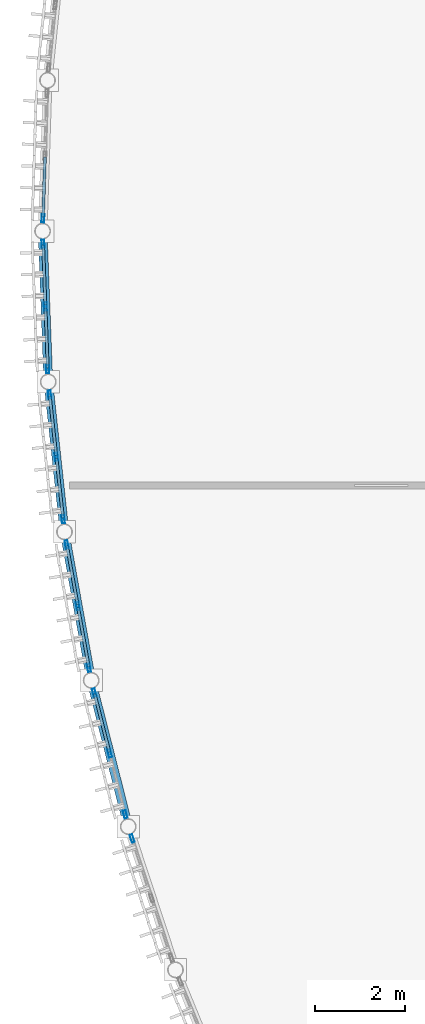
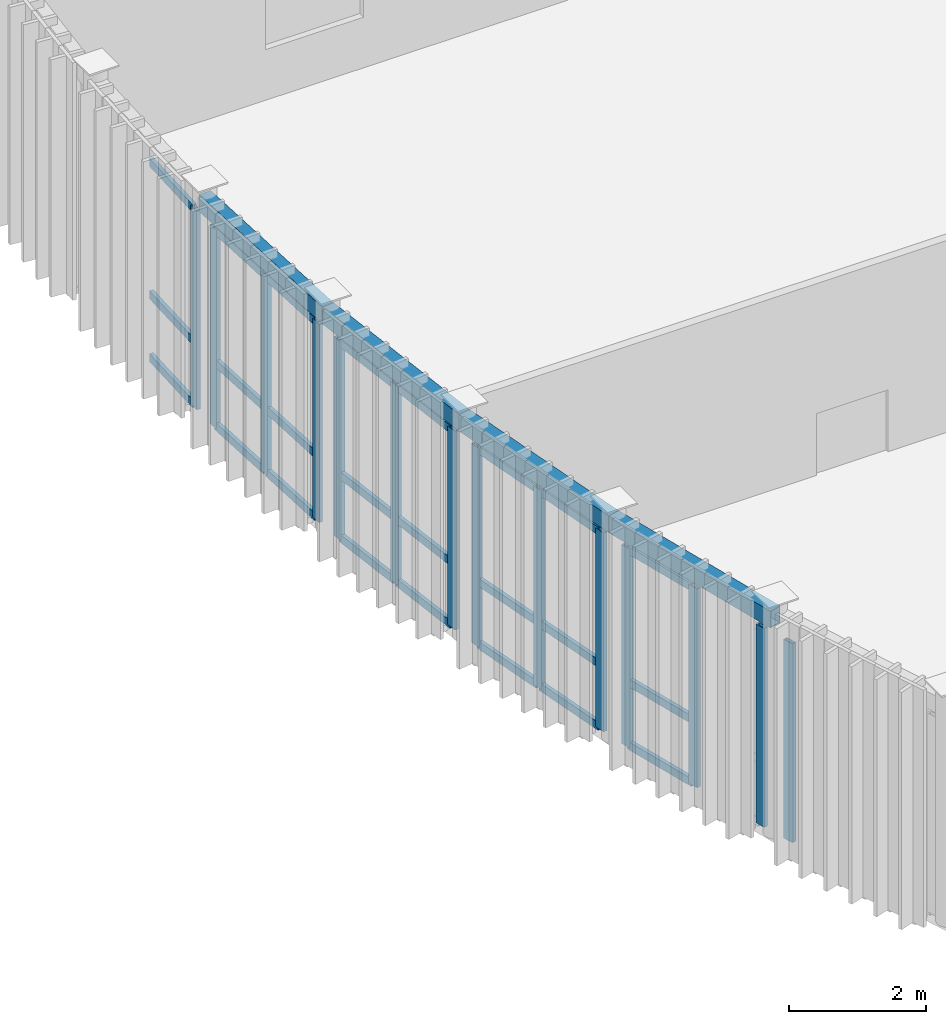
# One storey, part 13 of 26: 38 members, 4 beams, 6 elements without a shape of their own.
"""IFC4 building model written with IfcOpenShell, lengths in metres."""

from ifc_helpers import new_model, si_unit, direction, frame, origin, origin_2d, place, context, subcontext, project, spatial, hollow_rectangle, extrude, material, layer, layer_set, material_profile, profile_set, type_object, element, aggregate, save


model = new_model("IFC4")

# Units and contexts
model_context = context("Model", 3, precision=1e-05, world=origin(), true_north=direction((0.0, 1.0)))
body_context = subcontext(model_context, "Body", "Model", "MODEL_VIEW")
ifc_project = project(units=[si_unit("LENGTHUNIT", "METRE"), si_unit("AREAUNIT", "SQUARE_METRE"), si_unit("VOLUMEUNIT", "CUBIC_METRE"), si_unit("PLANEANGLEUNIT", "RADIAN"), si_unit("MASSUNIT", "GRAM", prefix="KILO")], contexts=[model_context])

# Site, building, storey
site_placement = place(None, origin())
site = spatial("IfcSite", under=ifc_project, at=site_placement, CompositionType="ELEMENT")
building_placement = place(site_placement, origin())
building = spatial("IfcBuilding", under=site, at=building_placement, Name="Selat Folded Stagehouse", CompositionType="ELEMENT")
storey_placement = place(building_placement, frame((0.0, 0.0, 23.39990234375)))
storey = spatial("IfcBuildingStorey", under=building, at=storey_placement, Name="L05", CompositionType="ELEMENT", Elevation=23.39990234375)

# Curtain wall, member
ifc_material_1 = material(Name="Aluminium 6063-T6", Category="aluminium")
ifc_layer = layer(ifc_material_1, 0.18505859375)
ifc_layer_set = layer_set([ifc_layer], Name="Aluminium 6063-T6")
curtain_wall_type = type_object("IfcCurtainWallType", Name="CW-DRM-UPPER", PredefinedType="NOTDEFINED", material=ifc_layer_set)
curtain_wall_1_placement = place(storey_placement, origin())
curtain_wall_1 = element("IfcCurtainWall", 1, at=curtain_wall_1_placement, inside=storey, type_object=curtain_wall_type, Name="L05 curtain wall CW-DRM-L05-01", PredefinedType="NOTDEFINED")
ifc_material_profile_1 = material_profile(ifc_material_1, hollow_rectangle(XDim=0.06494140625, YDim=0.179931640625, WallThickness=0.00390625, at=origin_2d()), Name="ALU 180x65x4.0")
ifc_profile_set_1 = profile_set([ifc_material_profile_1], Name="Aluminium 6063-T6")
member_type_1 = type_object("IfcMemberType", Name="CWM-MUL-180x65", PredefinedType="MULLION", material=ifc_profile_set_1)
member_1_placement = place(storey_placement, frame((0.00927734375, 48.1640625, 0.0), z_axis=(0.0, 0.0, 1.0), x_axis=(-0.999467648801, 0.032625434862, 0.0)))
member_1 = element("IfcMember", 2, at=member_1_placement, type_object=member_type_1, Name="CW-03 mullion 1", PredefinedType="MULLION", context=body_context, shape_type="SweptSolid", body=[
    extrude(hollow_rectangle(XDim=0.06494140625, YDim=0.179931640625, WallThickness=0.00390625, at=origin_2d()), origin(), (0.0, 0.0, 1.0), 3.53515625),
])

# Curtain wall, members
curtain_wall_2_placement = place(storey_placement, origin())
curtain_wall_2 = element("IfcCurtainWall", 3, at=curtain_wall_2_placement, inside=storey, type_object=curtain_wall_type, Name="L05 curtain wall CW-DRM-L05-02", PredefinedType="NOTDEFINED")
member_2_placement = place(storey_placement, frame((0.115966796875, 44.79736328125, 0.0), z_axis=(0.0, 0.0, 1.0), x_axis=(-0.999293858167, -0.037573727908, 0.0)))
member_2 = element("IfcMember", 4, at=member_2_placement, type_object=member_type_1, Name="CW-03 mullion 1", PredefinedType="MULLION", context=body_context, shape_type="SweptSolid", body=[
    extrude(hollow_rectangle(XDim=0.06494140625, YDim=0.179931640625, WallThickness=0.00390625, at=origin_2d()), origin(), (0.0, 0.0, 1.0), 3.53515625),
])
member_3_placement = place(storey_placement, frame((0.0634765625, 46.1982421875, 0.0), z_axis=(0.0, 0.0, 1.0), x_axis=(-0.999293858167, -0.037573727908, 0.0)))
member_3 = element("IfcMember", 5, at=member_3_placement, type_object=member_type_1, Name="CW-03 mullion 2", PredefinedType="MULLION", context=body_context, shape_type="SweptSolid", body=[
    extrude(hollow_rectangle(XDim=0.06494140625, YDim=0.179931640625, WallThickness=0.00390625, at=origin_2d()), origin(), (0.0, 0.0, 1.0), 3.53515625),
])
member_4_placement = place(storey_placement, frame((0.0107421875, 47.599365234375, 0.0), z_axis=(0.0, 0.0, 1.0), x_axis=(-0.999293858167, -0.037573727908, 0.0)))
member_4 = element("IfcMember", 6, at=member_4_placement, type_object=member_type_1, Name="CW-03 mullion 3", PredefinedType="MULLION", context=body_context, shape_type="SweptSolid", body=[
    extrude(hollow_rectangle(XDim=0.06494140625, YDim=0.179931640625, WallThickness=0.00390625, at=origin_2d()), origin(), (0.0, 0.0, 1.0), 3.53515625),
])

curtain_wall_3_placement = place(storey_placement, origin())
curtain_wall_3 = element("IfcCurtainWall", 7, at=curtain_wall_3_placement, inside=storey, type_object=curtain_wall_type, Name="L05 curtain wall CW-DRM-L05-03", PredefinedType="NOTDEFINED")
member_5_placement = place(storey_placement, frame((0.458740234375, 41.4462890625, 0.0), z_axis=(0.0, 0.0, 1.0), x_axis=(-0.994198790497, -0.107558193428, 0.0)))
member_5 = element("IfcMember", 8, at=member_5_placement, type_object=member_type_1, Name="CW-03 mullion 1", PredefinedType="MULLION", context=body_context, shape_type="SweptSolid", body=[
    extrude(hollow_rectangle(XDim=0.06494140625, YDim=0.179931640625, WallThickness=0.00390625, at=origin_2d()), origin(), (0.0, 0.0, 1.0), 3.53515625),
])
member_6_placement = place(storey_placement, frame((0.307861328125, 42.84033203125, 0.0), z_axis=(0.0, 0.0, 1.0), x_axis=(-0.994198790497, -0.107558193428, 0.0)))
member_6 = element("IfcMember", 9, at=member_6_placement, type_object=member_type_1, Name="CW-03 mullion 2", PredefinedType="MULLION", context=body_context, shape_type="SweptSolid", body=[
    extrude(hollow_rectangle(XDim=0.06494140625, YDim=0.179931640625, WallThickness=0.00390625, at=origin_2d()), origin(), (0.0, 0.0, 1.0), 3.53515625),
])
member_7_placement = place(storey_placement, frame((0.156982421875, 44.234130859375, 0.0), z_axis=(0.0, 0.0, 1.0), x_axis=(-0.994198790497, -0.107558193428, 0.0)))
member_7 = element("IfcMember", 10, at=member_7_placement, type_object=member_type_1, Name="CW-03 mullion 3", PredefinedType="MULLION", context=body_context, shape_type="SweptSolid", body=[
    extrude(hollow_rectangle(XDim=0.06494140625, YDim=0.179931640625, WallThickness=0.00390625, at=origin_2d()), origin(), (0.0, 0.0, 1.0), 3.53515625),
])

curtain_wall_4_placement = place(storey_placement, origin())
curtain_wall_4 = element("IfcCurtainWall", 11, at=curtain_wall_4_placement, inside=storey, type_object=curtain_wall_type, Name="L05 curtain wall CW-DRM-L05-04", PredefinedType="NOTDEFINED")
member_8_placement = place(storey_placement, frame((1.035400390625, 38.127685546875, 0.0), z_axis=(0.0, 0.0, 1.0), x_axis=(-0.984210538572, -0.177001739435, 0.0)))
member_8 = element("IfcMember", 12, at=member_8_placement, type_object=member_type_1, Name="CW-03 mullion 1", PredefinedType="MULLION", context=body_context, shape_type="SweptSolid", body=[
    extrude(hollow_rectangle(XDim=0.06494140625, YDim=0.179931640625, WallThickness=0.00390625, at=origin_2d()), origin(), (0.0, 0.0, 1.0), 3.53515625),
])
member_9_placement = place(storey_placement, frame((0.787353515625, 39.507568359375, 0.0), z_axis=(0.0, 0.0, 1.0), x_axis=(-0.984210538572, -0.177001739435, 0.0)))
member_9 = element("IfcMember", 13, at=member_9_placement, type_object=member_type_1, Name="CW-03 mullion 2", PredefinedType="MULLION", context=body_context, shape_type="SweptSolid", body=[
    extrude(hollow_rectangle(XDim=0.06494140625, YDim=0.179931640625, WallThickness=0.00390625, at=origin_2d()), origin(), (0.0, 0.0, 1.0), 3.53515625),
])
member_10_placement = place(storey_placement, frame((0.5390625, 40.887451171875, 0.0), z_axis=(0.0, 0.0, 1.0), x_axis=(-0.984210538572, -0.177001739435, 0.0)))
member_10 = element("IfcMember", 14, at=member_10_placement, type_object=member_type_1, Name="CW-03 mullion 3", PredefinedType="MULLION", context=body_context, shape_type="SweptSolid", body=[
    extrude(hollow_rectangle(XDim=0.06494140625, YDim=0.179931640625, WallThickness=0.00390625, at=origin_2d()), origin(), (0.0, 0.0, 1.0), 3.53515625),
])

curtain_wall_5_placement = place(storey_placement, origin())
curtain_wall_5 = element("IfcCurtainWall", 15, at=curtain_wall_5_placement, inside=storey, type_object=curtain_wall_type, Name="L05 curtain wall CW-DRM-L05-05", PredefinedType="NOTDEFINED")
member_11_placement = place(storey_placement, frame((1.843505859375, 34.857666015625, 0.0), z_axis=(0.0, 0.0, 1.0), x_axis=(-0.969366705351, -0.24561797686, 0.0)))
member_11 = element("IfcMember", 16, at=member_11_placement, type_object=member_type_1, Name="CW-03 mullion 1", PredefinedType="MULLION", context=body_context, shape_type="SweptSolid", body=[
    extrude(hollow_rectangle(XDim=0.06494140625, YDim=0.179931640625, WallThickness=0.00390625, at=origin_2d()), origin(), (0.0, 0.0, 1.0), 3.53515625),
])
member_12_placement = place(storey_placement, frame((1.499267578125, 36.216796875, 0.0), z_axis=(0.0, 0.0, 1.0), x_axis=(-0.969366705351, -0.24561797686, 0.0)))
member_12 = element("IfcMember", 17, at=member_12_placement, type_object=member_type_1, Name="CW-03 mullion 2", PredefinedType="MULLION", context=body_context, shape_type="SweptSolid", body=[
    extrude(hollow_rectangle(XDim=0.06494140625, YDim=0.179931640625, WallThickness=0.00390625, at=origin_2d()), origin(), (0.0, 0.0, 1.0), 3.53515625),
])
member_13_placement = place(storey_placement, frame((1.15478515625, 37.575927734375, 0.0), z_axis=(0.0, 0.0, 1.0), x_axis=(-0.969366705351, -0.24561797686, 0.0)))
member_13 = element("IfcMember", 18, at=member_13_placement, type_object=member_type_1, Name="CW-03 mullion 3", PredefinedType="MULLION", context=body_context, shape_type="SweptSolid", body=[
    extrude(hollow_rectangle(XDim=0.06494140625, YDim=0.179931640625, WallThickness=0.00390625, at=origin_2d()), origin(), (0.0, 0.0, 1.0), 3.53515625),
])

# Curtain wall, member
curtain_wall_6_placement = place(storey_placement, origin())
curtain_wall_6 = element("IfcCurtainWall", 19, at=curtain_wall_6_placement, inside=storey, type_object=curtain_wall_type, Name="L05 curtain wall CW-DRM-L05-06", PredefinedType="NOTDEFINED")
member_14_placement = place(storey_placement, frame((2.00146484375, 34.315673828125, 0.0), z_axis=(0.0, 0.0, 1.0), x_axis=(-0.949754805107, -0.312994904395, 0.0)))
member_14 = element("IfcMember", 20, at=member_14_placement, type_object=member_type_1, Name="CW-03 mullion 3", PredefinedType="MULLION", context=body_context, shape_type="SweptSolid", body=[
    extrude(hollow_rectangle(XDim=0.06494140625, YDim=0.179931640625, WallThickness=0.00390625, at=origin_2d()), origin(), (0.0, 0.0, 1.0), 3.53515625),
])
aggregate(curtain_wall_6, [member_14])

# Member
ifc_material_profile_2 = material_profile(ifc_material_1, hollow_rectangle(XDim=0.06494140625, YDim=0.139892578125, WallThickness=0.00390625, at=origin_2d()), Name="ALU 140x65x4.0")
ifc_profile_set_2 = profile_set([ifc_material_profile_2], Name="Aluminium 6063-T6")
member_type_2 = type_object("IfcMemberType", Name="CWM-TRN-140x65", PredefinedType="USERDEFINED", material=ifc_profile_set_2)
member_15_placement = place(storey_placement, frame((0.010498046875, 48.196533203125, 0.03271484375), z_axis=(0.032506108816, 0.999471536808, 0.0), x_axis=(-0.999471536808, 0.032506108816, 0.0)))
member_15 = element("IfcMember", 21, at=member_15_placement, type_object=member_type_2, Name="CW-03 transom 1.1", ObjectType="TRANSOM", PredefinedType="USERDEFINED", context=body_context, shape_type="SweptSolid", body=[
    extrude(hollow_rectangle(XDim=0.06494140625, YDim=0.139892578125, WallThickness=0.00390625, at=origin_2d()), origin(), (0.0, 0.0, 1.0), 1.3369140625),
])

member_16_placement = place(storey_placement, frame((0.010498046875, 48.196533203125, 1.150146484375), z_axis=(0.032506108816, 0.999471536808, 0.0), x_axis=(-0.999471536808, 0.032506108816, 0.0)))
member_16 = element("IfcMember", 22, at=member_16_placement, type_object=member_type_2, Name="CW-03 transom 1.2", ObjectType="TRANSOM", PredefinedType="USERDEFINED", context=body_context, shape_type="SweptSolid", body=[
    extrude(hollow_rectangle(XDim=0.06494140625, YDim=0.139892578125, WallThickness=0.00390625, at=origin_2d()), origin(), (0.0, 0.0, 1.0), 1.3369140625),
])

member_17_placement = place(storey_placement, frame((0.010498046875, 48.196533203125, 3.502685546875), z_axis=(0.032506108816, 0.999471536808, 0.0), x_axis=(-0.999471536808, 0.032506108816, 0.0)))
member_17 = element("IfcMember", 23, at=member_17_placement, type_object=member_type_2, Name="CW-03 transom 1.3", ObjectType="TRANSOM", PredefinedType="USERDEFINED", context=body_context, shape_type="SweptSolid", body=[
    extrude(hollow_rectangle(XDim=0.06494140625, YDim=0.139892578125, WallThickness=0.00390625, at=origin_2d()), origin(), (0.0, 0.0, 1.0), 1.3369140625),
])

aggregate(curtain_wall_1, [member_1, member_15, member_16, member_17])

member_18_placement = place(storey_placement, frame((0.11474609375, 44.829833984375, 0.03271484375), z_axis=(-0.037437187768, 0.999298982773, 0.0), x_axis=(-0.999298982773, -0.037437187768, 0.0)))
member_18 = element("IfcMember", 24, at=member_18_placement, type_object=member_type_2, Name="CW-03 transom 1.1", ObjectType="TRANSOM", PredefinedType="USERDEFINED", context=body_context, shape_type="SweptSolid", body=[
    extrude(hollow_rectangle(XDim=0.06494140625, YDim=0.139892578125, WallThickness=0.00390625, at=origin_2d()), origin(), (0.0, 0.0, 1.0), 1.3369140625),
])

member_19_placement = place(storey_placement, frame((0.11474609375, 44.829833984375, 1.150146484375), z_axis=(-0.037437187768, 0.999298982773, 0.0), x_axis=(-0.999298982773, -0.037437187768, 0.0)))
member_19 = element("IfcMember", 25, at=member_19_placement, type_object=member_type_2, Name="CW-03 transom 1.2", ObjectType="TRANSOM", PredefinedType="USERDEFINED", context=body_context, shape_type="SweptSolid", body=[
    extrude(hollow_rectangle(XDim=0.06494140625, YDim=0.139892578125, WallThickness=0.00390625, at=origin_2d()), origin(), (0.0, 0.0, 1.0), 1.3369140625),
])

member_20_placement = place(storey_placement, frame((0.11474609375, 44.829833984375, 3.502685546875), z_axis=(-0.037437187768, 0.999298982773, 0.0), x_axis=(-0.999298982773, -0.037437187768, 0.0)))
member_20 = element("IfcMember", 26, at=member_20_placement, type_object=member_type_2, Name="CW-03 transom 1.3", ObjectType="TRANSOM", PredefinedType="USERDEFINED", context=body_context, shape_type="SweptSolid", body=[
    extrude(hollow_rectangle(XDim=0.06494140625, YDim=0.139892578125, WallThickness=0.00390625, at=origin_2d()), origin(), (0.0, 0.0, 1.0), 1.3369140625),
])

member_21_placement = place(storey_placement, frame((0.062255859375, 46.230712890625, 0.03271484375), z_axis=(-0.037612686436, 0.999292392555, 0.0), x_axis=(-0.999292392555, -0.037612686436, 0.0)))
member_21 = element("IfcMember", 27, at=member_21_placement, type_object=member_type_2, Name="CW-03 transom 2.1", ObjectType="TRANSOM", PredefinedType="USERDEFINED", context=body_context, shape_type="SweptSolid", body=[
    extrude(hollow_rectangle(XDim=0.06494140625, YDim=0.139892578125, WallThickness=0.00390625, at=origin_2d()), origin(), (0.0, 0.0, 1.0), 1.337158203125),
])

member_22_placement = place(storey_placement, frame((0.062255859375, 46.230712890625, 1.150146484375), z_axis=(-0.037612686436, 0.999292392555, 0.0), x_axis=(-0.999292392555, -0.037612686436, 0.0)))
member_22 = element("IfcMember", 28, at=member_22_placement, type_object=member_type_2, Name="CW-03 transom 2.2", ObjectType="TRANSOM", PredefinedType="USERDEFINED", context=body_context, shape_type="SweptSolid", body=[
    extrude(hollow_rectangle(XDim=0.06494140625, YDim=0.139892578125, WallThickness=0.00390625, at=origin_2d()), origin(), (0.0, 0.0, 1.0), 1.337158203125),
])

member_23_placement = place(storey_placement, frame((0.062255859375, 46.230712890625, 3.502685546875), z_axis=(-0.037612686436, 0.999292392555, 0.0), x_axis=(-0.999292392555, -0.037612686436, 0.0)))
member_23 = element("IfcMember", 29, at=member_23_placement, type_object=member_type_2, Name="CW-03 transom 2.3", ObjectType="TRANSOM", PredefinedType="USERDEFINED", context=body_context, shape_type="SweptSolid", body=[
    extrude(hollow_rectangle(XDim=0.06494140625, YDim=0.139892578125, WallThickness=0.00390625, at=origin_2d()), origin(), (0.0, 0.0, 1.0), 1.337158203125),
])

aggregate(curtain_wall_2, [member_2, member_3, member_4, member_18, member_19, member_20, member_21, member_22, member_23])

member_24_placement = place(storey_placement, frame((0.455322265625, 41.478515625, 0.03271484375), z_axis=(-0.107725727154, 0.994180651446, 0.0), x_axis=(-0.994180651446, -0.107725727154, 0.0)))
member_24 = element("IfcMember", 30, at=member_24_placement, type_object=member_type_2, Name="CW-03 transom 1.1", ObjectType="TRANSOM", PredefinedType="USERDEFINED", context=body_context, shape_type="SweptSolid", body=[
    extrude(hollow_rectangle(XDim=0.06494140625, YDim=0.139892578125, WallThickness=0.00390625, at=origin_2d()), origin(), (0.0, 0.0, 1.0), 1.337158203125),
])

member_25_placement = place(storey_placement, frame((0.455322265625, 41.478515625, 1.150146484375), z_axis=(-0.107725727154, 0.994180651446, 0.0), x_axis=(-0.994180651446, -0.107725727154, 0.0)))
member_25 = element("IfcMember", 31, at=member_25_placement, type_object=member_type_2, Name="CW-03 transom 1.2", ObjectType="TRANSOM", PredefinedType="USERDEFINED", context=body_context, shape_type="SweptSolid", body=[
    extrude(hollow_rectangle(XDim=0.06494140625, YDim=0.139892578125, WallThickness=0.00390625, at=origin_2d()), origin(), (0.0, 0.0, 1.0), 1.337158203125),
])

member_26_placement = place(storey_placement, frame((0.455322265625, 41.478515625, 3.502685546875), z_axis=(-0.107725727154, 0.994180651446, 0.0), x_axis=(-0.994180651446, -0.107725727154, 0.0)))
member_26 = element("IfcMember", 32, at=member_26_placement, type_object=member_type_2, Name="CW-03 transom 1.3", ObjectType="TRANSOM", PredefinedType="USERDEFINED", context=body_context, shape_type="SweptSolid", body=[
    extrude(hollow_rectangle(XDim=0.06494140625, YDim=0.139892578125, WallThickness=0.00390625, at=origin_2d()), origin(), (0.0, 0.0, 1.0), 1.337158203125),
])

member_27_placement = place(storey_placement, frame((0.304443359375, 42.87255859375, 0.03271484375), z_axis=(-0.107545254734, 0.994200190195, 0.0), x_axis=(-0.994200190195, -0.107545254734, 0.0)))
member_27 = element("IfcMember", 33, at=member_27_placement, type_object=member_type_2, Name="CW-03 transom 2.1", ObjectType="TRANSOM", PredefinedType="USERDEFINED", context=body_context, shape_type="SweptSolid", body=[
    extrude(hollow_rectangle(XDim=0.06494140625, YDim=0.139892578125, WallThickness=0.00390625, at=origin_2d()), origin(), (0.0, 0.0, 1.0), 1.337158203125),
])

member_28_placement = place(storey_placement, frame((0.304443359375, 42.87255859375, 1.150146484375), z_axis=(-0.107545254734, 0.994200190195, 0.0), x_axis=(-0.994200190195, -0.107545254734, 0.0)))
member_28 = element("IfcMember", 34, at=member_28_placement, type_object=member_type_2, Name="CW-03 transom 2.2", ObjectType="TRANSOM", PredefinedType="USERDEFINED", context=body_context, shape_type="SweptSolid", body=[
    extrude(hollow_rectangle(XDim=0.06494140625, YDim=0.139892578125, WallThickness=0.00390625, at=origin_2d()), origin(), (0.0, 0.0, 1.0), 1.337158203125),
])

member_29_placement = place(storey_placement, frame((0.304443359375, 42.87255859375, 3.502685546875), z_axis=(-0.107545254734, 0.994200190195, 0.0), x_axis=(-0.994200190195, -0.107545254734, 0.0)))
member_29 = element("IfcMember", 35, at=member_29_placement, type_object=member_type_2, Name="CW-03 transom 2.3", ObjectType="TRANSOM", PredefinedType="USERDEFINED", context=body_context, shape_type="SweptSolid", body=[
    extrude(hollow_rectangle(XDim=0.06494140625, YDim=0.139892578125, WallThickness=0.00390625, at=origin_2d()), origin(), (0.0, 0.0, 1.0), 1.337158203125),
])

aggregate(curtain_wall_3, [member_5, member_6, member_7, member_24, member_25, member_26, member_27, member_28, member_29])

member_30_placement = place(storey_placement, frame((1.02978515625, 38.15966796875, 0.03271484375), z_axis=(-0.177117625188, 0.98418969048, 0.0), x_axis=(-0.98418969048, -0.177117625188, 0.0)))
member_30 = element("IfcMember", 36, at=member_30_placement, type_object=member_type_2, Name="CW-03 transom 1.1", ObjectType="TRANSOM", PredefinedType="USERDEFINED", context=body_context, shape_type="SweptSolid", body=[
    extrude(hollow_rectangle(XDim=0.06494140625, YDim=0.139892578125, WallThickness=0.00390625, at=origin_2d()), origin(), (0.0, 0.0, 1.0), 1.337158203125),
])

member_31_placement = place(storey_placement, frame((1.02978515625, 38.15966796875, 1.150146484375), z_axis=(-0.177117625188, 0.98418969048, 0.0), x_axis=(-0.98418969048, -0.177117625188, 0.0)))
member_31 = element("IfcMember", 37, at=member_31_placement, type_object=member_type_2, Name="CW-03 transom 1.2", ObjectType="TRANSOM", PredefinedType="USERDEFINED", context=body_context, shape_type="SweptSolid", body=[
    extrude(hollow_rectangle(XDim=0.06494140625, YDim=0.139892578125, WallThickness=0.00390625, at=origin_2d()), origin(), (0.0, 0.0, 1.0), 1.337158203125),
])

member_32_placement = place(storey_placement, frame((1.02978515625, 38.15966796875, 3.502685546875), z_axis=(-0.177117625188, 0.98418969048, 0.0), x_axis=(-0.98418969048, -0.177117625188, 0.0)))
member_32 = element("IfcMember", 38, at=member_32_placement, type_object=member_type_2, Name="CW-03 transom 1.3", ObjectType="TRANSOM", PredefinedType="USERDEFINED", context=body_context, shape_type="SweptSolid", body=[
    extrude(hollow_rectangle(XDim=0.06494140625, YDim=0.139892578125, WallThickness=0.00390625, at=origin_2d()), origin(), (0.0, 0.0, 1.0), 1.337158203125),
])

member_33_placement = place(storey_placement, frame((0.781494140625, 39.53955078125, 0.03271484375), z_axis=(-0.176940749261, 0.984221505176, 0.0), x_axis=(-0.984221505176, -0.176940749261, 0.0)))
member_33 = element("IfcMember", 39, at=member_33_placement, type_object=member_type_2, Name="CW-03 transom 2.1", ObjectType="TRANSOM", PredefinedType="USERDEFINED", context=body_context, shape_type="SweptSolid", body=[
    extrude(hollow_rectangle(XDim=0.06494140625, YDim=0.139892578125, WallThickness=0.00390625, at=origin_2d()), origin(), (0.0, 0.0, 1.0), 1.3369140625),
])

member_34_placement = place(storey_placement, frame((0.781494140625, 39.53955078125, 1.150146484375), z_axis=(-0.176940749261, 0.984221505176, 0.0), x_axis=(-0.984221505176, -0.176940749261, 0.0)))
member_34 = element("IfcMember", 40, at=member_34_placement, type_object=member_type_2, Name="CW-03 transom 2.2", ObjectType="TRANSOM", PredefinedType="USERDEFINED", context=body_context, shape_type="SweptSolid", body=[
    extrude(hollow_rectangle(XDim=0.06494140625, YDim=0.139892578125, WallThickness=0.00390625, at=origin_2d()), origin(), (0.0, 0.0, 1.0), 1.3369140625),
])

member_35_placement = place(storey_placement, frame((0.781494140625, 39.53955078125, 3.502685546875), z_axis=(-0.176940749261, 0.984221505176, 0.0), x_axis=(-0.984221505176, -0.176940749261, 0.0)))
member_35 = element("IfcMember", 41, at=member_35_placement, type_object=member_type_2, Name="CW-03 transom 2.3", ObjectType="TRANSOM", PredefinedType="USERDEFINED", context=body_context, shape_type="SweptSolid", body=[
    extrude(hollow_rectangle(XDim=0.06494140625, YDim=0.139892578125, WallThickness=0.00390625, at=origin_2d()), origin(), (0.0, 0.0, 1.0), 1.3369140625),
])

aggregate(curtain_wall_4, [member_8, member_9, member_10, member_30, member_31, member_32, member_33, member_34, member_35])

member_36_placement = place(storey_placement, frame((1.4912109375, 36.248291015625, 0.03271484375), z_axis=(-0.245584768356, 0.969375119111, 0.0), x_axis=(-0.969375119111, -0.245584768356, 0.0)))
member_36 = element("IfcMember", 42, at=member_36_placement, type_object=member_type_2, Name="CW-03 transom 2.1", ObjectType="TRANSOM", PredefinedType="USERDEFINED", context=body_context, shape_type="SweptSolid", body=[
    extrude(hollow_rectangle(XDim=0.06494140625, YDim=0.139892578125, WallThickness=0.00390625, at=origin_2d()), origin(), (0.0, 0.0, 1.0), 1.337158203125),
])

member_37_placement = place(storey_placement, frame((1.4912109375, 36.248291015625, 1.150146484375), z_axis=(-0.245584768356, 0.969375119111, 0.0), x_axis=(-0.969375119111, -0.245584768356, 0.0)))
member_37 = element("IfcMember", 43, at=member_37_placement, type_object=member_type_2, Name="CW-03 transom 2.2", ObjectType="TRANSOM", PredefinedType="USERDEFINED", context=body_context, shape_type="SweptSolid", body=[
    extrude(hollow_rectangle(XDim=0.06494140625, YDim=0.139892578125, WallThickness=0.00390625, at=origin_2d()), origin(), (0.0, 0.0, 1.0), 1.337158203125),
])

member_38_placement = place(storey_placement, frame((1.4912109375, 36.248291015625, 3.502685546875), z_axis=(-0.245584768356, 0.969375119111, 0.0), x_axis=(-0.969375119111, -0.245584768356, 0.0)))
member_38 = element("IfcMember", 44, at=member_38_placement, type_object=member_type_2, Name="CW-03 transom 2.3", ObjectType="TRANSOM", PredefinedType="USERDEFINED", context=body_context, shape_type="SweptSolid", body=[
    extrude(hollow_rectangle(XDim=0.06494140625, YDim=0.139892578125, WallThickness=0.00390625, at=origin_2d()), origin(), (0.0, 0.0, 1.0), 1.337158203125),
])

aggregate(curtain_wall_5, [member_11, member_12, member_13, member_36, member_37, member_38])

# Beams
ifc_material_2 = material(Name="Steel S355", Category="steel")
ifc_material_profile_3 = material_profile(ifc_material_2, hollow_rectangle(XDim=0.199951171875, YDim=0.300048828125, WallThickness=0.012451171875, at=origin_2d()), Name="RHS 300x200x12.5")
ifc_profile_set_3 = profile_set([ifc_material_profile_3], Name="Steel S355")
beam_type = type_object("IfcBeamType", Name="SPD-RHS-300x200", PredefinedType="SPANDREL", material=ifc_profile_set_3)
beam_1_placement = place(storey_placement, frame((0.0, 47.881591796875, 3.8251953125), z_axis=(0.03760934134, -0.999292518457, 0.0), x_axis=(0.999292518457, 0.03760934134, 0.0)))
element("IfcBeam", 45, at=beam_1_placement, inside=storey, type_object=beam_type, Name="L05 curved drum spandrel beam 3", PredefinedType="SPANDREL", context=body_context, shape_type="SweptSolid", body=[
    extrude(hollow_rectangle(XDim=0.199951171875, YDim=0.300048828125, WallThickness=0.012451171875, at=origin_2d()), origin(), (0.0, 0.0, 1.0), 3.369140625),
])
beam_2_placement = place(storey_placement, frame((0.126708984375, 44.514892578125, 3.8251953125), z_axis=(0.107543794494, -0.994200348152, 0.0), x_axis=(0.994200348152, 0.107543794494, 0.0)))
element("IfcBeam", 46, at=beam_2_placement, inside=storey, type_object=beam_type, Name="L05 curved drum spandrel beam 4", PredefinedType="SPANDREL", context=body_context, shape_type="SweptSolid", body=[
    extrude(hollow_rectangle(XDim=0.199951171875, YDim=0.300048828125, WallThickness=0.012451171875, at=origin_2d()), origin(), (0.0, 0.0, 1.0), 3.368896484375),
])
beam_3_placement = place(storey_placement, frame((0.489013671875, 41.16552734375, 3.8251953125), z_axis=(0.177029462848, -0.984205552354, 0.0), x_axis=(0.984205552354, 0.177029462848, 0.0)))
element("IfcBeam", 47, at=beam_3_placement, inside=storey, type_object=beam_type, Name="L05 curved drum spandrel beam 5", PredefinedType="SPANDREL", context=body_context, shape_type="SweptSolid", body=[
    extrude(hollow_rectangle(XDim=0.199951171875, YDim=0.300048828125, WallThickness=0.012451171875, at=origin_2d()), origin(), (0.0, 0.0, 1.0), 3.369140625),
])
beam_4_placement = place(storey_placement, frame((1.08544921875, 37.849609375, 3.8251953125), z_axis=(0.245671863024, -0.96935305009, 0.0), x_axis=(0.96935305009, 0.245671863024, 0.0)))
element("IfcBeam", 48, at=beam_4_placement, inside=storey, type_object=beam_type, Name="L05 curved drum spandrel beam 6", PredefinedType="SPANDREL", context=body_context, shape_type="SweptSolid", body=[
    extrude(hollow_rectangle(XDim=0.199951171875, YDim=0.300048828125, WallThickness=0.012451171875, at=origin_2d()), origin(), (0.0, 0.0, 1.0), 3.368896484375),
])

save(model, "model.ifc")
